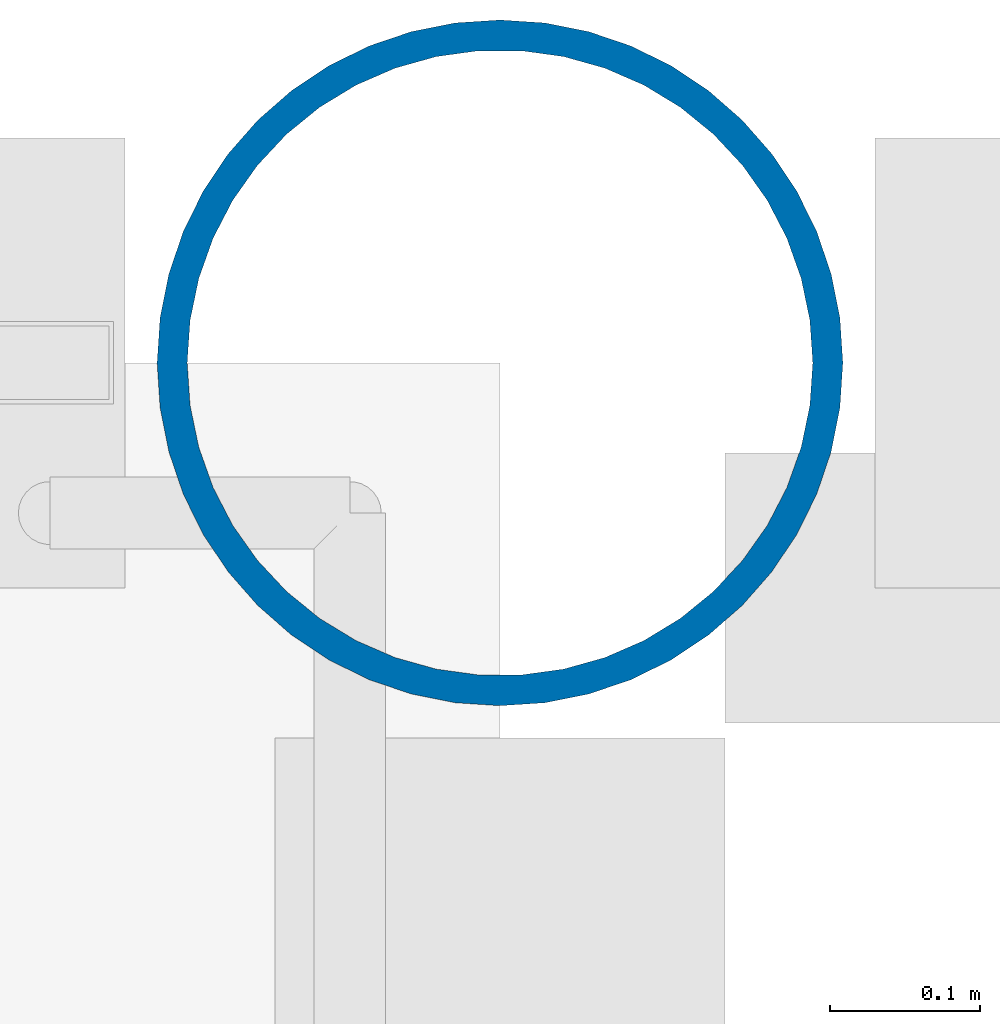
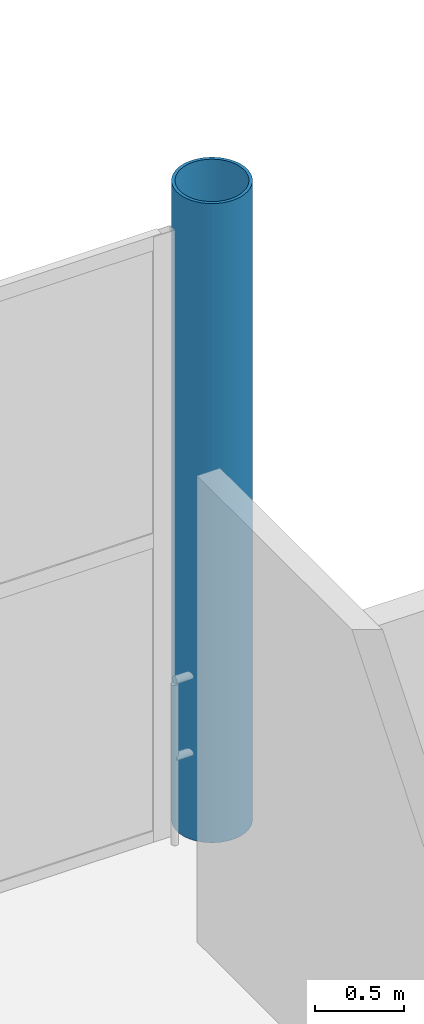
# One storey, part 11 of 81: 1 column.
"""IFC4 building model written with IfcOpenShell, lengths in metres."""

from ifc_helpers import new_model, si_unit, direction, frame, origin, origin_2d, place, context, subcontext, project, spatial, hollow_circle, extrude, material, material_profile, profile_set, type_object, element, save


model = new_model("IFC4")

# Units and contexts
model_context = context("Model", 3, precision=1e-05, world=origin(), true_north=direction((0.0, 1.0)))
body_context = subcontext(model_context, "Body", "Model", "MODEL_VIEW")
ifc_project = project(units=[si_unit("LENGTHUNIT", "METRE"), si_unit("AREAUNIT", "SQUARE_METRE"), si_unit("VOLUMEUNIT", "CUBIC_METRE"), si_unit("PLANEANGLEUNIT", "RADIAN"), si_unit("MASSUNIT", "GRAM", prefix="KILO")], contexts=[model_context])

# Site, building, storey
site_placement = place(None, origin())
site = spatial("IfcSite", under=ifc_project, at=site_placement, CompositionType="ELEMENT")
building_placement = place(site_placement, origin())
building = spatial("IfcBuilding", under=site, at=building_placement, Name="Qandorah Velis Arena", CompositionType="ELEMENT")
storey_placement = place(building_placement, frame((0.0, 0.0, 18.60009765625)))
storey = spatial("IfcBuildingStorey", under=building, at=storey_placement, Name="L04", CompositionType="ELEMENT", Elevation=18.60009765625)

# Column
ifc_material = material(Name="Steel S355", Category="steel")
ifc_material_profile = material_profile(ifc_material, hollow_circle(Radius=0.228515625, WallThickness=0.02001953125, at=origin_2d()), Name="CHS 457x20")
ifc_profile_set = profile_set([ifc_material_profile], Name="Steel S355")
column_type = type_object("IfcColumnType", Name="STR-COL-CHS457", PredefinedType="COLUMN", material=ifc_profile_set)
column_placement = place(storey_placement, frame((93.60009765625, 129.60009765625, 0.0), z_axis=(0.0, 0.0, 1.0), x_axis=(1.0, 0.0, 0.0)))
element("IfcColumn", 1, at=column_placement, inside=storey, type_object=column_type, Name="Structural column L04-135", PredefinedType="COLUMN", context=body_context, shape_type="SweptSolid", body=[
    extrude(hollow_circle(Radius=0.228515625, WallThickness=0.02001953125, at=origin_2d()), origin(), (0.0, 0.0, 1.0), 4.39990234375),
])

save(model, "model.ifc")
